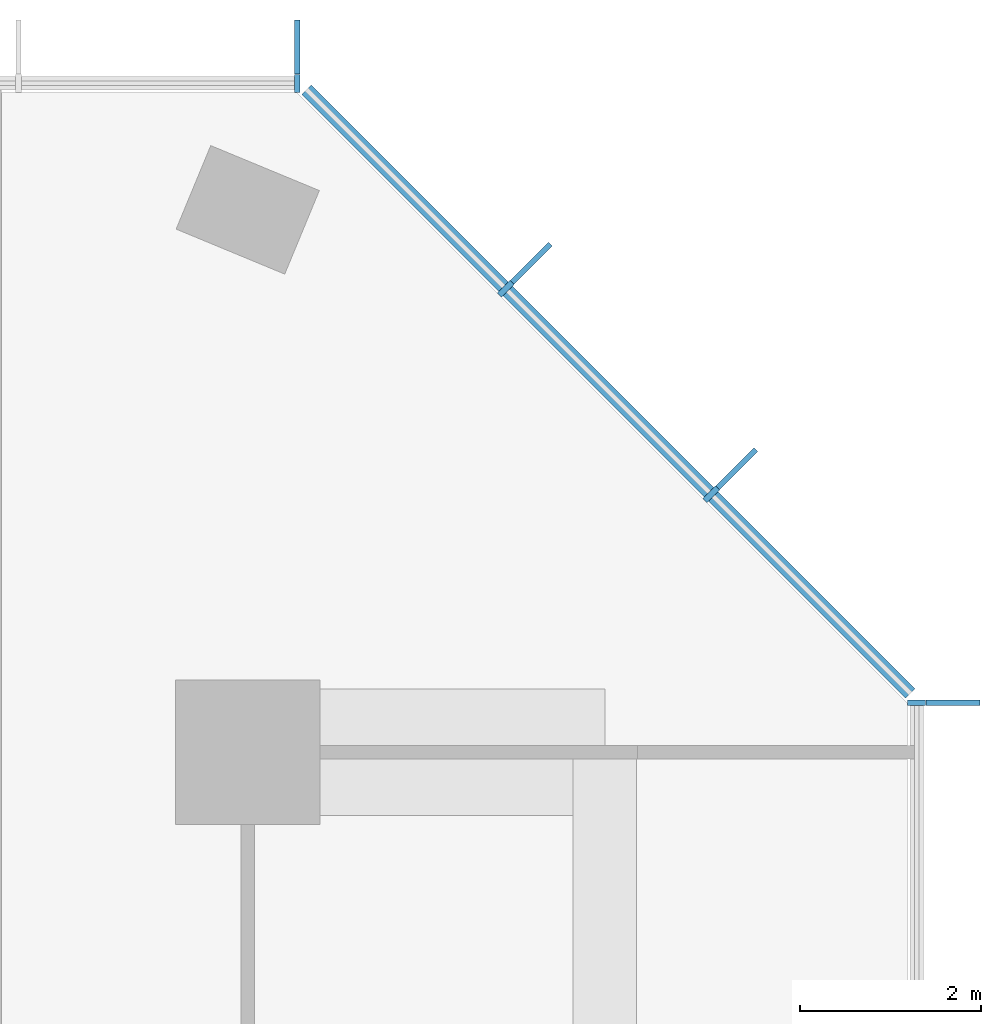
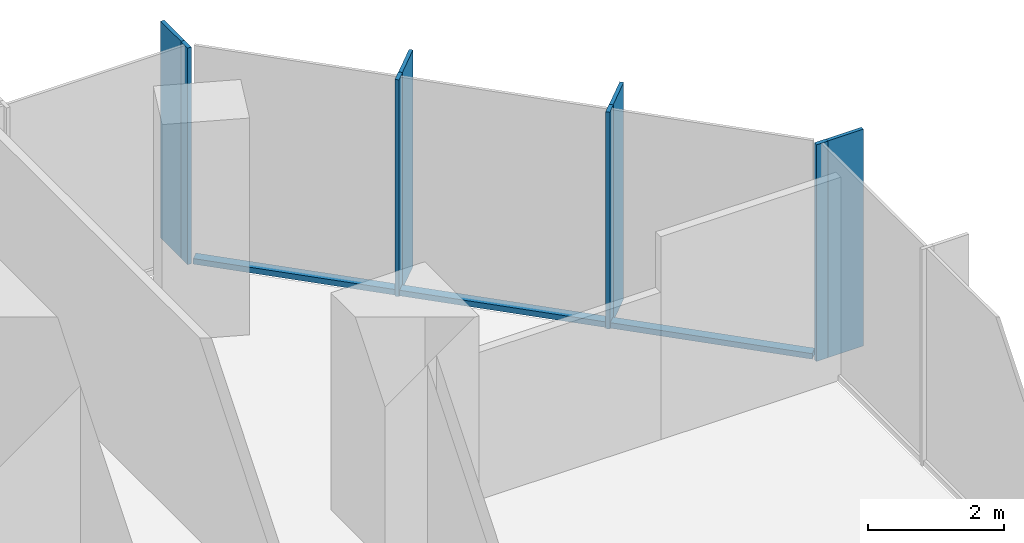
# One storey, part 6 of 11: 11 members, 3 elements without a shape of their own.
"""IFC4 building model written with IfcOpenShell, lengths in metres."""

from ifc_helpers import new_model, si_unit, direction, frame, origin, origin_2d, place, context, subcontext, project, spatial, rectangle, extrude, material, layer, layer_set, material_profile, profile_set, type_object, element, aggregate, save


model = new_model("IFC4")

# Units and contexts
model_context = context("Model", 3, precision=1e-05, world=origin(), true_north=direction((0.0, 1.0)))
body_context = subcontext(model_context, "Body", "Model", "MODEL_VIEW")
ifc_project = project(units=[si_unit("LENGTHUNIT", "METRE"), si_unit("AREAUNIT", "SQUARE_METRE"), si_unit("VOLUMEUNIT", "CUBIC_METRE"), si_unit("PLANEANGLEUNIT", "RADIAN"), si_unit("MASSUNIT", "GRAM", prefix="KILO")], contexts=[model_context])

# Site, building, storey
site_placement = place(None, origin())
site = spatial("IfcSite", under=ifc_project, at=site_placement, CompositionType="ELEMENT")
building_placement = place(site_placement, origin())
building = spatial("IfcBuilding", under=site, at=building_placement, Name="Highveld Stack Headquarters", CompositionType="ELEMENT")
storey_placement = place(building_placement, frame((0.0, 0.0, 272.300048828125)))
storey = spatial("IfcBuildingStorey", under=building, at=storey_placement, Name="L67", CompositionType="ELEMENT", Elevation=272.300048828125)

# Curtain wall, member
ifc_material_1 = material(Name="Aluminium bronze anodised", Category="aluminium")
ifc_layer = layer(ifc_material_1, 0.199951171875)
ifc_layer_set = layer_set([ifc_layer], Name="Aluminium bronze anodised")
curtain_wall_type = type_object("IfcCurtainWallType", Name="CW5 EXECUTIVE UNITISED CURTAIN WALL", PredefinedType="NOTDEFINED", material=ifc_layer_set)
curtain_wall_1_placement = place(storey_placement, origin())
curtain_wall_1 = element("IfcCurtainWall", 1, at=curtain_wall_1_placement, inside=storey, type_object=curtain_wall_type, Name="Curtain wall CW5 L67 E", PredefinedType="NOTDEFINED")
ifc_material_2 = material(Name="Aluminium bronze anodised", Category="aluminium")
ifc_material_profile_1 = material_profile(ifc_material_2, rectangle(XDim=0.60009765625, YDim=0.06005859375, at=origin_2d()), Name="FIN 600x60")
ifc_profile_set_1 = profile_set([ifc_material_profile_1], Name="Aluminium bronze anodised")
member_type_1 = type_object("IfcMemberType", Name="CW5 BRONZE FIN 600x60", PredefinedType="USERDEFINED", material=ifc_profile_set_1)
member_1_placement = place(storey_placement, frame((31.800048828125, 12.54736328125, 0.0), z_axis=(0.0, 0.0, 1.0), x_axis=(-1.0, 0.0, 0.0)))
member_1 = element("IfcMember", 2, at=member_1_placement, type_object=member_type_1, Name="CW5 fin L67 9", ObjectType="FIN", PredefinedType="USERDEFINED", context=body_context, shape_type="SweptSolid", body=[
    extrude(rectangle(XDim=0.60009765625, YDim=0.06005859375, at=origin_2d()), origin(), (0.0, 0.0, 1.0), 3.89990234375),
])

# Curtain wall, members
curtain_wall_2_placement = place(storey_placement, origin())
curtain_wall_2 = element("IfcCurtainWall", 3, at=curtain_wall_2_placement, inside=storey, type_object=curtain_wall_type, Name="Curtain wall CW5 L67 NE", PredefinedType="NOTDEFINED")
member_2_placement = place(storey_placement, frame((29.409423828125, 15.135986328125, 0.0), z_axis=(0.0, 0.0, 1.0), x_axis=(-0.707106781187, -0.707106781187, 0.0)))
member_2 = element("IfcMember", 4, at=member_2_placement, type_object=member_type_1, Name="CW5 fin L67 1", ObjectType="FIN", PredefinedType="USERDEFINED", context=body_context, shape_type="SweptSolid", body=[
    extrude(rectangle(XDim=0.60009765625, YDim=0.06005859375, at=origin_2d()), origin(), (0.0, 0.0, 1.0), 3.89990234375),
])
member_3_placement = place(storey_placement, frame((27.135986328125, 17.409423828125, 0.0), z_axis=(0.0, 0.0, 1.0), x_axis=(-0.707106781187, -0.707106781187, 0.0)))
member_3 = element("IfcMember", 5, at=member_3_placement, type_object=member_type_1, Name="CW5 fin L67 2", ObjectType="FIN", PredefinedType="USERDEFINED", context=body_context, shape_type="SweptSolid", body=[
    extrude(rectangle(XDim=0.60009765625, YDim=0.06005859375, at=origin_2d()), origin(), (0.0, 0.0, 1.0), 3.89990234375),
])

# Curtain wall, member
curtain_wall_3_placement = place(storey_placement, origin())
curtain_wall_3 = element("IfcCurtainWall", 6, at=curtain_wall_3_placement, inside=storey, type_object=curtain_wall_type, Name="Curtain wall CW5 L67 N", PredefinedType="NOTDEFINED")
member_4_placement = place(storey_placement, frame((24.54736328125, 19.800048828125, 0.0), z_axis=(0.0, 0.0, 1.0), x_axis=(0.0, -1.0, 0.0)))
member_4 = element("IfcMember", 7, at=member_4_placement, type_object=member_type_1, Name="CW5 fin L67 1", ObjectType="FIN", PredefinedType="USERDEFINED", context=body_context, shape_type="SweptSolid", body=[
    extrude(rectangle(XDim=0.60009765625, YDim=0.06005859375, at=origin_2d()), origin(), (0.0, 0.0, 1.0), 3.89990234375),
])

# Member
ifc_material_3 = material(Name="Aluminium bronze anodised", Category="aluminium")
ifc_material_profile_2 = material_profile(ifc_material_3, rectangle(XDim=0.199951171875, YDim=0.06494140625, at=origin_2d()), Name="CW5 MULLION 65x200")
ifc_profile_set_2 = profile_set([ifc_material_profile_2], Name="Aluminium bronze anodised")
member_type_2 = type_object("IfcMemberType", Name="CW5 MULLION 65x200", PredefinedType="MULLION", material=ifc_profile_set_2)
member_5_placement = place(storey_placement, frame((31.39990234375, 12.54736328125, 0.0), z_axis=(0.0, 0.0, 1.0), x_axis=(-1.0, 0.0, 0.0)))
member_5 = element("IfcMember", 8, at=member_5_placement, type_object=member_type_2, Name="CW5 mullion L67 9", PredefinedType="MULLION", context=body_context, shape_type="SweptSolid", body=[
    extrude(rectangle(XDim=0.199951171875, YDim=0.06494140625, at=origin_2d()), origin(), (0.0, 0.0, 1.0), 3.89990234375),
])

aggregate(curtain_wall_1, [member_5, member_1])

member_6_placement = place(storey_placement, frame((29.126708984375, 14.853271484375, 0.0), z_axis=(0.0, 0.0, 1.0), x_axis=(-0.707106781187, -0.707106781187, 0.0)))
member_6 = element("IfcMember", 9, at=member_6_placement, type_object=member_type_2, Name="CW5 mullion L67 1", PredefinedType="MULLION", context=body_context, shape_type="SweptSolid", body=[
    extrude(rectangle(XDim=0.199951171875, YDim=0.06494140625, at=origin_2d()), origin(), (0.0, 0.0, 1.0), 3.89990234375),
])

member_7_placement = place(storey_placement, frame((26.853271484375, 17.126708984375, 0.0), z_axis=(0.0, 0.0, 1.0), x_axis=(-0.707106781187, -0.707106781187, 0.0)))
member_7 = element("IfcMember", 10, at=member_7_placement, type_object=member_type_2, Name="CW5 mullion L67 2", PredefinedType="MULLION", context=body_context, shape_type="SweptSolid", body=[
    extrude(rectangle(XDim=0.199951171875, YDim=0.06494140625, at=origin_2d()), origin(), (0.0, 0.0, 1.0), 3.89990234375),
])

member_8_placement = place(storey_placement, frame((24.54736328125, 19.39990234375, 0.0), z_axis=(0.0, 0.0, 1.0), x_axis=(0.0, -1.0, 0.0)))
member_8 = element("IfcMember", 11, at=member_8_placement, type_object=member_type_2, Name="CW5 mullion L67 1", PredefinedType="MULLION", context=body_context, shape_type="SweptSolid", body=[
    extrude(rectangle(XDim=0.199951171875, YDim=0.06494140625, at=origin_2d()), origin(), (0.0, 0.0, 1.0), 3.89990234375),
])

aggregate(curtain_wall_3, [member_8, member_4])

ifc_material_4 = material(Name="Aluminium bronze anodised", Category="aluminium")
ifc_material_profile_3 = material_profile(ifc_material_4, rectangle(XDim=0.14990234375, YDim=0.10009765625, at=origin_2d()), Name="CW5 TRANSOM 150x100")
ifc_profile_set_3 = profile_set([ifc_material_profile_3], Name="Aluminium bronze anodised")
member_type_3 = type_object("IfcMemberType", Name="CW5 STACK TRANSOM 150x100", PredefinedType="USERDEFINED", material=ifc_profile_set_3)
member_9_placement = place(storey_placement, frame((31.329345703125, 12.650634765625, 0.050048828125), z_axis=(-0.707106781187, 0.707106781187, 0.0), x_axis=(-0.707106781187, -0.707106781187, 0.0)))
member_9 = element("IfcMember", 12, at=member_9_placement, type_object=member_type_3, Name="CW5 transom L67 1.1", ObjectType="TRANSOM", PredefinedType="USERDEFINED", context=body_context, shape_type="SweptSolid", body=[
    extrude(rectangle(XDim=0.14990234375, YDim=0.10009765625, at=origin_2d()), origin(), (0.0, 0.0, 1.0), 3.08251953125),
])

member_10_placement = place(storey_placement, frame((29.103759765625, 14.876220703125, 0.050048828125), z_axis=(-0.707106781187, 0.707106781187, 0.0), x_axis=(-0.707106781187, -0.707106781187, 0.0)))
member_10 = element("IfcMember", 13, at=member_10_placement, type_object=member_type_3, Name="CW5 transom L67 2.1", ObjectType="TRANSOM", PredefinedType="USERDEFINED", context=body_context, shape_type="SweptSolid", body=[
    extrude(rectangle(XDim=0.14990234375, YDim=0.10009765625, at=origin_2d()), origin(), (0.0, 0.0, 1.0), 3.150146484375),
])

member_11_placement = place(storey_placement, frame((26.830322265625, 17.149658203125, 0.050048828125), z_axis=(-0.707106781187, 0.707106781187, 0.0), x_axis=(-0.707106781187, -0.707106781187, 0.0)))
member_11 = element("IfcMember", 14, at=member_11_placement, type_object=member_type_3, Name="CW5 transom L67 3.1", ObjectType="TRANSOM", PredefinedType="USERDEFINED", context=body_context, shape_type="SweptSolid", body=[
    extrude(rectangle(XDim=0.14990234375, YDim=0.10009765625, at=origin_2d()), origin(), (0.0, 0.0, 1.0), 3.08251953125),
])

aggregate(curtain_wall_2, [member_6, member_2, member_7, member_3, member_9, member_10, member_11])

save(model, "model.ifc")
